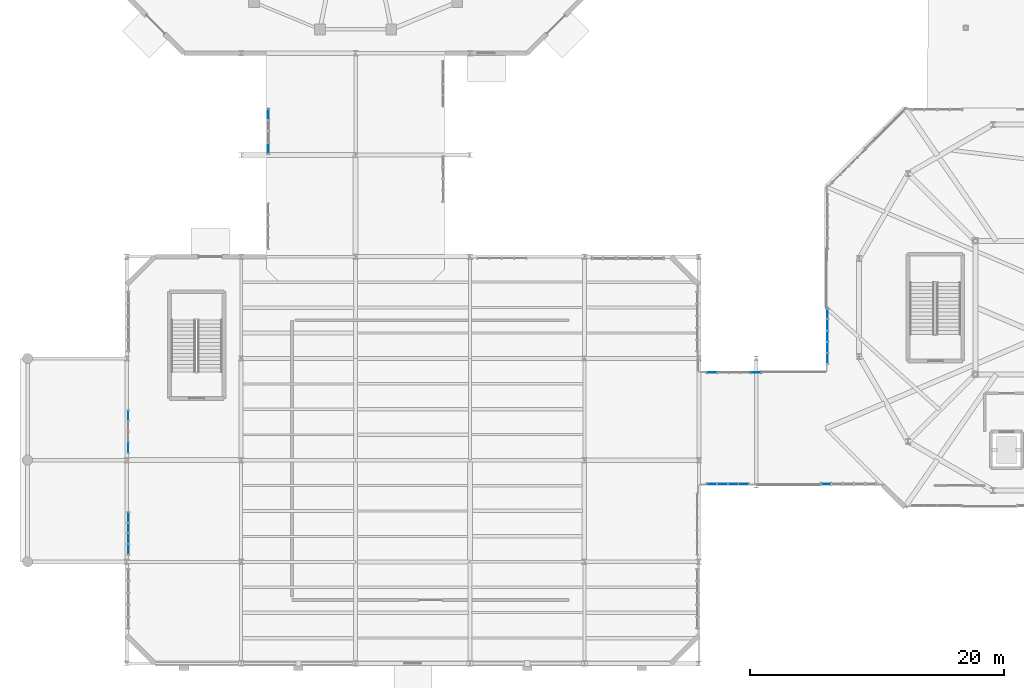
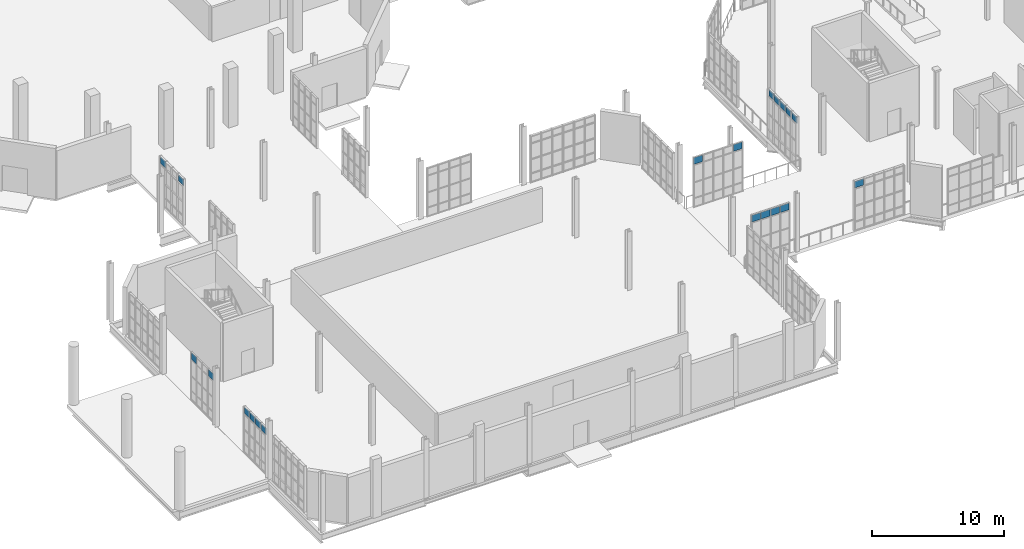
# One storey, part 165 of 189: 20 plates, 7 elements without a shape of their own.
"""IFC4 building model written with IfcOpenShell, lengths in metres."""

from ifc_helpers import new_model, si_unit, direction, frame, origin, origin_2d, place, context, subcontext, project, spatial, rectangle, extrude, material, layer, layer_set, type_object, element, aggregate, save


model = new_model("IFC4")

# Units and contexts
model_context = context("Model", 3, precision=1e-05, world=origin(), true_north=direction((0.0, 1.0)))
body_context = subcontext(model_context, "Body", "Model", "MODEL_VIEW")
ifc_project = project(units=[si_unit("LENGTHUNIT", "METRE"), si_unit("AREAUNIT", "SQUARE_METRE"), si_unit("VOLUMEUNIT", "CUBIC_METRE"), si_unit("PLANEANGLEUNIT", "RADIAN"), si_unit("MASSUNIT", "GRAM", prefix="KILO"), si_unit("THERMODYNAMICTEMPERATUREUNIT", "KELVIN"), si_unit("POWERUNIT", "WATT")], contexts=[model_context])

# Site, building, storey
site_placement = place(None, origin())
site = spatial("IfcSite", under=ifc_project, at=site_placement, CompositionType="ELEMENT")
building_placement = place(site_placement, origin())
building = spatial("IfcBuilding", under=site, at=building_placement, Name="Zelmaris Science Centre", CompositionType="ELEMENT")
storey_placement = place(building_placement, origin())
storey = spatial("IfcBuildingStorey", under=building, at=storey_placement, Name="L00", CompositionType="ELEMENT", Elevation=0.0)

# Curtain wall, plates
ifc_material_1 = material(Name="Anodised architectural aluminium 6063-T6", Category="aluminium")
ifc_layer_1 = layer(ifc_material_1, 0.18994140625, Name="Anodised architectural aluminium 6063-T6")
ifc_layer_set_1 = layer_set([ifc_layer_1], Name="Anodised architectural aluminium 6063-T6")
curtain_wall_type_1 = type_object("IfcCurtainWallType", Name="Curtain Wall CW-01", PredefinedType="USERDEFINED", material=ifc_layer_set_1)
curtain_wall_1_placement = place(storey_placement, origin())
curtain_wall_1 = element("IfcCurtainWall", 1, at=curtain_wall_1_placement, inside=storey, type_object=curtain_wall_type_1, Name="L00 Unitised curtain wall 9", ObjectType="GLAZED CURTAIN WALL", PredefinedType="USERDEFINED")
ifc_material_2 = material(Name="Laminated hurricane-rated low-E insulated glazing", Category="glass")
ifc_layer_2 = layer(ifc_material_2, 0.031982421875, Name="Laminated hurricane-rated low-E insulated glazing")
ifc_layer_set_2 = layer_set([ifc_layer_2], Name="Laminated hurricane-rated low-E insulated glazing")
plate_type_1 = type_object("IfcPlateType", Name="Curtain Glazing Panel CWP-1 32mm", PredefinedType="CURTAIN_PANEL", material=ifc_layer_set_2)
plate_1_placement = place(storey_placement, frame((20.1162109375, 48.54150390625, 3.56982421875), z_axis=(0.0, 0.0, 1.0), x_axis=(-0.000442172135, 0.999999902242, 0.0)))
plate_1 = element("IfcPlate", 2, at=plate_1_placement, type_object=plate_type_1, Name="CW-01 panel 1.4", PredefinedType="CURTAIN_PANEL", context=body_context, shape_type="SweptSolid", body=[
    extrude(rectangle(XDim=0.796630859375, YDim=0.031982421875, at=origin_2d()), origin(), (0.0, 0.0, 1.0), 0.592041015625),
])
plate_2_placement = place(storey_placement, frame((20.114990234375, 51.219482421875, 3.56982421875), z_axis=(0.0, 0.0, 1.0), x_axis=(-0.000442172135, 0.999999902242, 0.0)))
plate_2 = element("IfcPlate", 3, at=plate_2_placement, type_object=plate_type_1, Name="CW-01 panel 4.4", PredefinedType="CURTAIN_PANEL", context=body_context, shape_type="SweptSolid", body=[
    extrude(rectangle(XDim=0.796630859375, YDim=0.031982421875, at=origin_2d()), origin(), (0.0, 0.0, 1.0), 0.592041015625),
])
aggregate(curtain_wall_1, [plate_1, plate_2])

curtain_wall_2_placement = place(storey_placement, origin())
curtain_wall_2 = element("IfcCurtainWall", 4, at=curtain_wall_2_placement, inside=storey, type_object=curtain_wall_type_1, Name="L00 Unitised curtain wall 49", ObjectType="GLAZED CURTAIN WALL", PredefinedType="USERDEFINED")
plate_3_placement = place(storey_placement, frame((64.107421875, 32.018310546875, 3.93603515625), z_axis=(0.0, 0.0, 1.0), x_axis=(0.00093479212, 0.999999563082, 0.0)))
plate_3 = element("IfcPlate", 5, at=plate_3_placement, type_object=plate_type_1, Name="CW-01 panel 1.4", PredefinedType="CURTAIN_PANEL", context=body_context, shape_type="SweptSolid", body=[
    extrude(rectangle(XDim=0.769287109375, YDim=0.031982421875, at=origin_2d()), origin(), (0.0, 0.0, 1.0), 0.592041015625),
])
plate_4_placement = place(storey_placement, frame((64.108154296875, 32.877685546875, 3.93603515625), z_axis=(0.0, 0.0, 1.0), x_axis=(0.00093479212, 0.999999563082, 0.0)))
plate_4 = element("IfcPlate", 6, at=plate_4_placement, type_object=plate_type_1, Name="CW-01 panel 2.4", PredefinedType="CURTAIN_PANEL", context=body_context, shape_type="SweptSolid", body=[
    extrude(rectangle(XDim=0.80517578125, YDim=0.031982421875, at=origin_2d()), origin(), (0.0, 0.0, 1.0), 0.592041015625),
])
plate_5_placement = place(storey_placement, frame((64.10888671875, 33.7548828125, 3.93603515625), z_axis=(0.0, 0.0, 1.0), x_axis=(0.00093479212, 0.999999563082, 0.0)))
plate_5 = element("IfcPlate", 7, at=plate_5_placement, type_object=plate_type_1, Name="CW-01 panel 3.4", PredefinedType="CURTAIN_PANEL", context=body_context, shape_type="SweptSolid", body=[
    extrude(rectangle(XDim=0.80517578125, YDim=0.031982421875, at=origin_2d()), origin(), (0.0, 0.0, 1.0), 0.592041015625),
])
plate_6_placement = place(storey_placement, frame((64.10986328125, 34.632080078125, 3.93603515625), z_axis=(0.0, 0.0, 1.0), x_axis=(0.00093479212, 0.999999563082, 0.0)))
plate_6 = element("IfcPlate", 8, at=plate_6_placement, type_object=plate_type_1, Name="CW-01 panel 4.4", PredefinedType="CURTAIN_PANEL", context=body_context, shape_type="SweptSolid", body=[
    extrude(rectangle(XDim=0.80517578125, YDim=0.031982421875, at=origin_2d()), origin(), (0.0, 0.0, 1.0), 0.592041015625),
])
plate_7_placement = place(storey_placement, frame((64.110595703125, 35.4912109375, 3.93603515625), z_axis=(0.0, 0.0, 1.0), x_axis=(0.00093479212, 0.999999563082, 0.0)))
plate_7 = element("IfcPlate", 9, at=plate_7_placement, type_object=plate_type_1, Name="CW-01 panel 5.4", PredefinedType="CURTAIN_PANEL", context=body_context, shape_type="SweptSolid", body=[
    extrude(rectangle(XDim=0.769287109375, YDim=0.031982421875, at=origin_2d()), origin(), (0.0, 0.0, 1.0), 0.592041015625),
])
aggregate(curtain_wall_2, [plate_3, plate_4, plate_5, plate_6, plate_7])

# Curtain wall, plate
curtain_wall_3_placement = place(storey_placement, origin())
curtain_wall_3 = element("IfcCurtainWall", 10, at=curtain_wall_3_placement, inside=storey, type_object=curtain_wall_type_1, Name="L00 Unitised curtain wall 121", ObjectType="GLAZED CURTAIN WALL", PredefinedType="USERDEFINED")
plate_8_placement = place(storey_placement, frame((64.007568359375, 22.119873046875, 3.93603515625), z_axis=(0.0, 0.0, 1.0), x_axis=(-0.999999999741, 2.2776442e-05, 0.0)))
plate_8 = element("IfcPlate", 11, at=plate_8_placement, type_object=plate_type_1, Name="CW-01 panel 5.4", PredefinedType="CURTAIN_PANEL", context=body_context, shape_type="SweptSolid", body=[
    extrude(rectangle(XDim=0.77001953125, YDim=0.031982421875, at=origin_2d()), origin(), (0.0, 0.0, 1.0), 0.592041015625),
])
aggregate(curtain_wall_3, [plate_8])

# Curtain wall, plates
ifc_layer_3 = layer(ifc_material_1, 0.199951171875, Name="Anodised architectural aluminium 6063-T6")
ifc_layer_set_3 = layer_set([ifc_layer_3], Name="Anodised architectural aluminium 6063-T6")
curtain_wall_type_2 = type_object("IfcCurtainWallType", Name="Curtain Wall CW-02", PredefinedType="USERDEFINED", material=ifc_layer_set_3)
curtain_wall_4_placement = place(storey_placement, origin())
curtain_wall_4 = element("IfcCurtainWall", 12, at=curtain_wall_4_placement, inside=storey, type_object=curtain_wall_type_2, Name="L00 Unitised curtain wall 2", ObjectType="GLAZED CURTAIN WALL", PredefinedType="USERDEFINED")
ifc_layer_4 = layer(ifc_material_2, 0.028076171875, Name="Laminated hurricane-rated low-E insulated glazing")
ifc_layer_set_4 = layer_set([ifc_layer_4], Name="Laminated hurricane-rated low-E insulated glazing")
plate_type_2 = type_object("IfcPlateType", Name="Curtain Glazing Panel CWP-2 28mm", PredefinedType="CURTAIN_PANEL", material=ifc_layer_set_4)
plate_9_placement = place(storey_placement, frame((9.1201171875, 16.981689453125, 3.5673828125), z_axis=(0.0, 0.0, 1.0), x_axis=(0.0, 1.0, 0.0)))
plate_9 = element("IfcPlate", 13, at=plate_9_placement, type_object=plate_type_2, Name="CW-02 panel 1.4", PredefinedType="CURTAIN_PANEL", context=body_context, shape_type="SweptSolid", body=[
    extrude(rectangle(XDim=0.74951171875, YDim=0.028076171875, at=origin_2d()), origin(), (0.0, 0.0, 1.0), 0.599609375),
])
plate_10_placement = place(storey_placement, frame((9.1201171875, 17.81494140625, 3.5673828125), z_axis=(0.0, 0.0, 1.0), x_axis=(0.0, 1.0, 0.0)))
plate_10 = element("IfcPlate", 14, at=plate_10_placement, type_object=plate_type_2, Name="CW-02 panel 2.4", PredefinedType="CURTAIN_PANEL", context=body_context, shape_type="SweptSolid", body=[
    extrude(rectangle(XDim=0.782958984375, YDim=0.028076171875, at=origin_2d()), origin(), (0.0, 0.0, 1.0), 0.599609375),
])
plate_11_placement = place(storey_placement, frame((9.1201171875, 18.6650390625, 3.5673828125), z_axis=(0.0, 0.0, 1.0), x_axis=(0.0, 1.0, 0.0)))
plate_11 = element("IfcPlate", 15, at=plate_11_placement, type_object=plate_type_2, Name="CW-02 panel 3.4", PredefinedType="CURTAIN_PANEL", context=body_context, shape_type="SweptSolid", body=[
    extrude(rectangle(XDim=0.782958984375, YDim=0.028076171875, at=origin_2d()), origin(), (0.0, 0.0, 1.0), 0.599609375),
])
plate_12_placement = place(storey_placement, frame((9.1201171875, 19.498291015625, 3.5673828125), z_axis=(0.0, 0.0, 1.0), x_axis=(0.0, 1.0, 0.0)))
plate_12 = element("IfcPlate", 16, at=plate_12_placement, type_object=plate_type_2, Name="CW-02 panel 4.4", PredefinedType="CURTAIN_PANEL", context=body_context, shape_type="SweptSolid", body=[
    extrude(rectangle(XDim=0.74951171875, YDim=0.028076171875, at=origin_2d()), origin(), (0.0, 0.0, 1.0), 0.599609375),
])
aggregate(curtain_wall_4, [plate_9, plate_10, plate_11, plate_12])

ifc_layer_5 = layer(ifc_material_1, 0.2099609375, Name="Anodised architectural aluminium 6063-T6")
ifc_layer_set_5 = layer_set([ifc_layer_5], Name="Anodised architectural aluminium 6063-T6")
curtain_wall_type_3 = type_object("IfcCurtainWallType", Name="Curtain Wall CW-03", PredefinedType="USERDEFINED", material=ifc_layer_set_5)
curtain_wall_5_placement = place(storey_placement, origin())
curtain_wall_5 = element("IfcCurtainWall", 17, at=curtain_wall_5_placement, inside=storey, type_object=curtain_wall_type_3, Name="L00 Unitised curtain wall 47", ObjectType="GLAZED CURTAIN WALL", PredefinedType="USERDEFINED")
ifc_layer_6 = layer(ifc_material_2, 0.02587890625, Name="Laminated hurricane-rated low-E insulated glazing")
ifc_layer_set_6 = layer_set([ifc_layer_6], Name="Laminated hurricane-rated low-E insulated glazing")
plate_type_3 = type_object("IfcPlateType", Name="Curtain Glazing Panel CWP-3 26mm", PredefinedType="CURTAIN_PANEL", material=ifc_layer_set_6)
plate_13_placement = place(storey_placement, frame((55.037109375, 30.881103515625, 3.9287109375), z_axis=(0.0, 0.0, 1.0), x_axis=(0.999999993381, -0.000115053622, 0.0)))
plate_13 = element("IfcPlate", 18, at=plate_13_placement, type_object=plate_type_3, Name="CW-03 panel 1.4", PredefinedType="CURTAIN_PANEL", context=body_context, shape_type="SweptSolid", body=[
    extrude(rectangle(XDim=0.78369140625, YDim=0.02587890625, at=origin_2d()), origin(), (0.0, 0.0, 1.0), 0.614501953125),
])
plate_14_placement = place(storey_placement, frame((58.4853515625, 30.880615234375, 3.9287109375), z_axis=(0.0, 0.0, 1.0), x_axis=(0.999999993381, -0.000115053622, 0.0)))
plate_14 = element("IfcPlate", 19, at=plate_14_placement, type_object=plate_type_3, Name="CW-03 panel 5.4", PredefinedType="CURTAIN_PANEL", context=body_context, shape_type="SweptSolid", body=[
    extrude(rectangle(XDim=0.78369140625, YDim=0.02587890625, at=origin_2d()), origin(), (0.0, 0.0, 1.0), 0.614501953125),
])
aggregate(curtain_wall_5, [plate_13, plate_14])

curtain_wall_6_placement = place(storey_placement, origin())
curtain_wall_6 = element("IfcCurtainWall", 20, at=curtain_wall_6_placement, inside=storey, type_object=curtain_wall_type_3, Name="L00 Unitised curtain wall 123", ObjectType="GLAZED CURTAIN WALL", PredefinedType="USERDEFINED")
plate_15_placement = place(storey_placement, frame((57.525634765625, 22.119873046875, 3.9287109375), z_axis=(0.0, 0.0, 1.0), x_axis=(-0.999999999557, 2.9761913e-05, 0.0)))
plate_15 = element("IfcPlate", 21, at=plate_15_placement, type_object=plate_type_3, Name="CW-03 panel 1.4", PredefinedType="CURTAIN_PANEL", context=body_context, shape_type="SweptSolid", body=[
    extrude(rectangle(XDim=0.75439453125, YDim=0.02587890625, at=origin_2d()), origin(), (0.0, 0.0, 1.0), 0.614501953125),
])
plate_16_placement = place(storey_placement, frame((56.699951171875, 22.119873046875, 3.9287109375), z_axis=(0.0, 0.0, 1.0), x_axis=(-0.999999999557, 2.9761913e-05, 0.0)))
plate_16 = element("IfcPlate", 22, at=plate_16_placement, type_object=plate_type_3, Name="CW-03 panel 2.4", PredefinedType="CURTAIN_PANEL", context=body_context, shape_type="SweptSolid", body=[
    extrude(rectangle(XDim=0.782958984375, YDim=0.02587890625, at=origin_2d()), origin(), (0.0, 0.0, 1.0), 0.614501953125),
])
plate_17_placement = place(storey_placement, frame((55.860107421875, 22.119873046875, 3.9287109375), z_axis=(0.0, 0.0, 1.0), x_axis=(-0.999999999557, 2.9761913e-05, 0.0)))
plate_17 = element("IfcPlate", 23, at=plate_17_placement, type_object=plate_type_3, Name="CW-03 panel 3.4", PredefinedType="CURTAIN_PANEL", context=body_context, shape_type="SweptSolid", body=[
    extrude(rectangle(XDim=0.782958984375, YDim=0.02587890625, at=origin_2d()), origin(), (0.0, 0.0, 1.0), 0.614501953125),
])
plate_18_placement = place(storey_placement, frame((55.0341796875, 22.119873046875, 3.9287109375), z_axis=(0.0, 0.0, 1.0), x_axis=(-0.999999999557, 2.9761913e-05, 0.0)))
plate_18 = element("IfcPlate", 24, at=plate_18_placement, type_object=plate_type_3, Name="CW-03 panel 4.4", PredefinedType="CURTAIN_PANEL", context=body_context, shape_type="SweptSolid", body=[
    extrude(rectangle(XDim=0.75439453125, YDim=0.02587890625, at=origin_2d()), origin(), (0.0, 0.0, 1.0), 0.614501953125),
])
aggregate(curtain_wall_6, [plate_15, plate_16, plate_17, plate_18])

ifc_layer_7 = layer(ifc_material_1, 0.219970703125, Name="Anodised architectural aluminium 6063-T6")
ifc_layer_set_7 = layer_set([ifc_layer_7], Name="Anodised architectural aluminium 6063-T6")
curtain_wall_type_4 = type_object("IfcCurtainWallType", Name="Curtain Wall CW-04", PredefinedType="USERDEFINED", material=ifc_layer_set_7)
curtain_wall_7_placement = place(storey_placement, origin())
curtain_wall_7 = element("IfcCurtainWall", 25, at=curtain_wall_7_placement, inside=storey, type_object=curtain_wall_type_4, Name="L00 Unitised curtain wall 4", ObjectType="GLAZED CURTAIN WALL", PredefinedType="USERDEFINED")
ifc_layer_8 = layer(ifc_material_2, 0.02392578125, Name="Laminated hurricane-rated low-E insulated glazing")
ifc_layer_set_8 = layer_set([ifc_layer_8], Name="Laminated hurricane-rated low-E insulated glazing")
plate_type_4 = type_object("IfcPlateType", Name="Curtain Glazing Panel CWP-4 24mm", PredefinedType="CURTAIN_PANEL", material=ifc_layer_set_8)
plate_19_placement = place(storey_placement, frame((9.1201171875, 24.97802734375, 3.718017578125), z_axis=(0.0, 0.0, 1.0), x_axis=(0.0, 1.0, 0.0)))
plate_19 = element("IfcPlate", 26, at=plate_19_placement, type_object=plate_type_4, Name="CW-04 panel 1.4", PredefinedType="CURTAIN_PANEL", context=body_context, shape_type="SweptSolid", body=[
    extrude(rectangle(XDim=0.77197265625, YDim=0.02392578125, at=origin_2d()), origin(), (0.0, 0.0, 1.0), 0.6220703125),
])
plate_20_placement = place(storey_placement, frame((9.1201171875, 27.501953125, 3.718017578125), z_axis=(0.0, 0.0, 1.0), x_axis=(0.0, 1.0, 0.0)))
plate_20 = element("IfcPlate", 27, at=plate_20_placement, type_object=plate_type_4, Name="CW-04 panel 4.4", PredefinedType="CURTAIN_PANEL", context=body_context, shape_type="SweptSolid", body=[
    extrude(rectangle(XDim=0.77197265625, YDim=0.02392578125, at=origin_2d()), origin(), (0.0, 0.0, 1.0), 0.6220703125),
])
aggregate(curtain_wall_7, [plate_19, plate_20])

save(model, "model.ifc")
